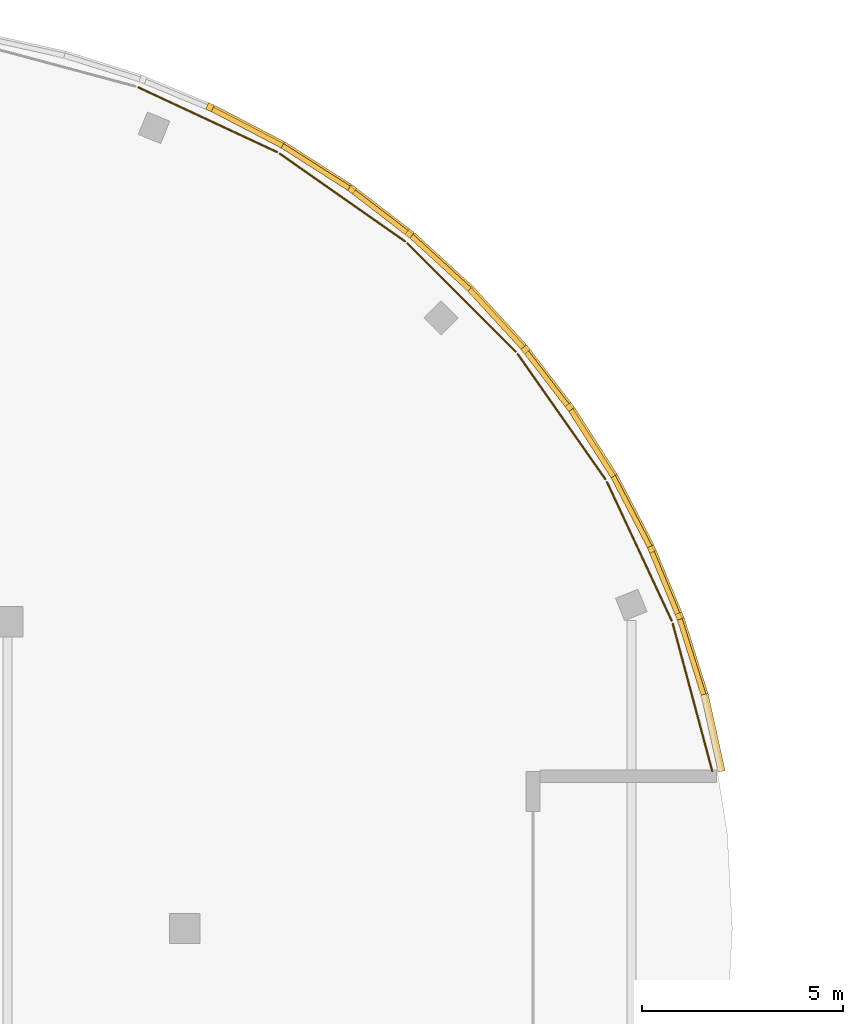
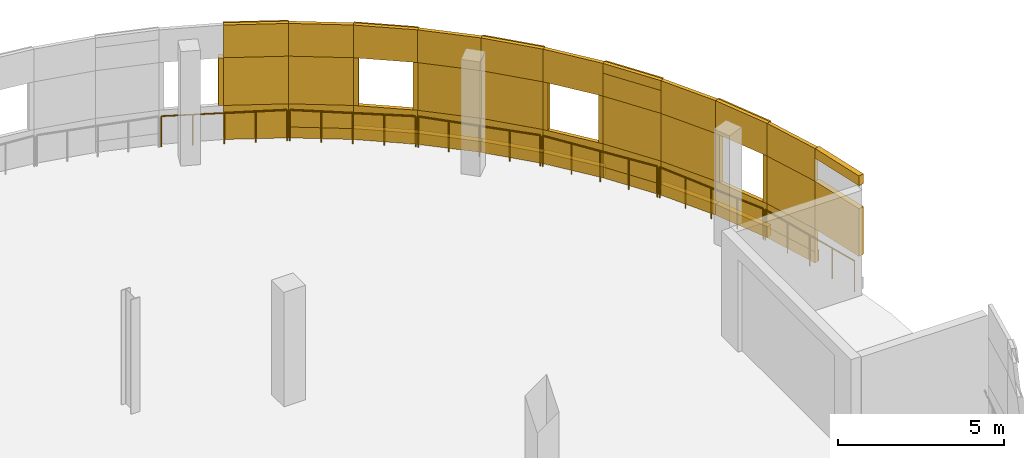
# One storey, part 138 of 140: 51 coverings, 6 railings.
"""IFC4 building model written with IfcOpenShell, lengths in metres."""

from ifc_helpers import new_model, si_unit, direction, frame, origin, origin_2d, place, context, subcontext, project, spatial, rectangle, circle, extrude, material, layer, layer_set, type_object, element, save


model = new_model("IFC4")

# Units and contexts
model_context = context("Model", 3, precision=1e-05, world=origin(), true_north=direction((0.0, 1.0)))
body_context = subcontext(model_context, "Body", "Model", "MODEL_VIEW")
ifc_project = project(units=[si_unit("LENGTHUNIT", "METRE"), si_unit("AREAUNIT", "SQUARE_METRE"), si_unit("VOLUMEUNIT", "CUBIC_METRE"), si_unit("PLANEANGLEUNIT", "RADIAN"), si_unit("MASSUNIT", "GRAM", prefix="KILO")], contexts=[model_context])

# Site, building, storey
site_placement = place(None, origin())
site = spatial("IfcSite", under=ifc_project, at=site_placement, CompositionType="ELEMENT")
building_placement = place(site_placement, origin())
building = spatial("IfcBuilding", under=site, at=building_placement, Name="Deido Ridge Mobility Hub", CompositionType="ELEMENT")
storey_placement = place(building_placement, origin())
storey = spatial("IfcBuildingStorey", under=building, at=storey_placement, Name="L00", CompositionType="ELEMENT", Elevation=0.0)

# Coverings
ifc_material_1 = material(Name="Fired clay brick masonry", Category="masonry")
ifc_layer = layer(ifc_material_1, 0.114990234375, Name="Fired clay brick masonry")
ifc_layer_set = layer_set([ifc_layer], Name="Fired clay brick masonry")
covering_type = type_object("IfcCoveringType", Name="COV-BRK-SCREEN-115", PredefinedType="CLADDING", material=ifc_layer_set)
covering_1_placement = place(storey_placement, frame((138.92138671875, 108.35986328125, 3.83984375), z_axis=(0.0, 0.0, 1.0), x_axis=(-0.216456653485, 0.976292229387, 0.0)))
element("IfcCovering", 1, at=covering_1_placement, inside=storey, type_object=covering_type, Name="Raised brick relief cornice BKS1 (L00)", PredefinedType="CLADDING", context=body_context, shape_type="SweptSolid", body=[
    extrude(rectangle(XDim=1.9619140625, YDim=0.179931640625, at=origin_2d()), origin(), (0.0, 0.0, 1.0), 0.360107421875),
])
covering_2_placement = place(storey_placement, frame((138.92138671875, 108.35986328125, 1.25), z_axis=(0.0, 0.0, 1.0), x_axis=(-0.216456653485, 0.976292229387, 0.0)))
element("IfcCovering", 2, at=covering_2_placement, inside=storey, type_object=covering_type, Name="Curved raised brickwork pier BKS1 (L00)", PredefinedType="CLADDING", context=body_context, shape_type="SweptSolid", body=[
    extrude(rectangle(XDim=1.9619140625, YDim=0.179931640625, at=origin_2d()), origin(), (0.0, 0.0, 1.0), 1.75),
])
covering_3_placement = place(storey_placement, frame((138.38818359375, 110.24365234375, 0.0), z_axis=(0.0, 0.0, 1.0), x_axis=(-0.300672508319, 0.95372744678, 0.0)))
element("IfcCovering", 3, at=covering_3_placement, inside=storey, type_object=covering_type, Name="Open brickwork spandrel course BKS1 (L00)", PredefinedType="CLADDING", context=body_context, shape_type="SweptSolid", body=[
    extrude(rectangle(XDim=1.9619140625, YDim=0.125, at=origin_2d()), origin(), (0.0, 0.0, 1.0), 1.25),
])
covering_4_placement = place(storey_placement, frame((138.414306640625, 110.251953125, 0.0), z_axis=(0.0, 0.0, 1.0), x_axis=(-0.300672508319, 0.95372744678, 0.0)))
element("IfcCovering", 4, at=covering_4_placement, inside=storey, type_object=covering_type, Name="Raised brick relief belt BKS1 (L00)", PredefinedType="CLADDING", context=body_context, shape_type="SweptSolid", body=[
    extrude(rectangle(XDim=1.9619140625, YDim=0.179931640625, at=origin_2d()), origin(), (0.0, 0.0, 1.0), 0.39990234375),
])
covering_5_placement = place(storey_placement, frame((138.38818359375, 110.24365234375, 3.0), z_axis=(0.0, 0.0, 1.0), x_axis=(-0.300672508319, 0.95372744678, 0.0)))
element("IfcCovering", 5, at=covering_5_placement, inside=storey, type_object=covering_type, Name="Open brickwork lintel course BKS1 (L00)", PredefinedType="CLADDING", context=body_context, shape_type="SweptSolid", body=[
    extrude(rectangle(XDim=1.9619140625, YDim=0.125, at=origin_2d()), origin(), (0.0, 0.0, 1.0), 1.199951171875),
])
covering_6_placement = place(storey_placement, frame((138.38818359375, 110.24365234375, 1.25), z_axis=(0.0, 0.0, 1.0), x_axis=(-0.300672508319, 0.95372744678, 0.0)))
element("IfcCovering", 6, at=covering_6_placement, inside=storey, type_object=covering_type, Name="Curved raised brickwork pier BKS1 (L00)", PredefinedType="CLADDING", context=body_context, shape_type="SweptSolid", body=[
    extrude(rectangle(XDim=1.9619140625, YDim=0.125, at=origin_2d()), origin(), (0.0, 0.0, 1.0), 1.75),
])
covering_7_placement = place(storey_placement, frame((137.718994140625, 112.08203125, 0.0), z_axis=(0.0, 0.0, 1.0), x_axis=(-0.382699557047, 0.923872853285, 0.0)))
element("IfcCovering", 7, at=covering_7_placement, inside=storey, type_object=covering_type, Name="Open brickwork spandrel course BKS1 (L00)", PredefinedType="CLADDING", context=body_context, shape_type="SweptSolid", body=[
    extrude(rectangle(XDim=1.9619140625, YDim=0.125, at=origin_2d()), origin(), (0.0, 0.0, 1.0), 1.25),
])
covering_8_placement = place(storey_placement, frame((137.744384765625, 112.0927734375, 0.0), z_axis=(0.0, 0.0, 1.0), x_axis=(-0.382699557047, 0.923872853285, 0.0)))
element("IfcCovering", 8, at=covering_8_placement, inside=storey, type_object=covering_type, Name="Raised brick relief belt BKS1 (L00)", PredefinedType="CLADDING", context=body_context, shape_type="SweptSolid", body=[
    extrude(rectangle(XDim=1.9619140625, YDim=0.179931640625, at=origin_2d()), origin(), (0.0, 0.0, 1.0), 0.39990234375),
])
covering_9_placement = place(storey_placement, frame((137.718994140625, 112.08203125, 3.0), z_axis=(0.0, 0.0, 1.0), x_axis=(-0.382699557047, 0.923872853285, 0.0)))
element("IfcCovering", 9, at=covering_9_placement, inside=storey, type_object=covering_type, Name="Open brickwork lintel course BKS1 (L00)", PredefinedType="CLADDING", context=body_context, shape_type="SweptSolid", body=[
    extrude(rectangle(XDim=1.9619140625, YDim=0.125, at=origin_2d()), origin(), (0.0, 0.0, 1.0), 1.199951171875),
])
covering_10_placement = place(storey_placement, frame((137.744384765625, 112.0927734375, 3.83984375), z_axis=(0.0, 0.0, 1.0), x_axis=(-0.382699557047, 0.923872853285, 0.0)))
element("IfcCovering", 10, at=covering_10_placement, inside=storey, type_object=covering_type, Name="Raised brick relief cornice BKS1 (L00)", PredefinedType="CLADDING", context=body_context, shape_type="SweptSolid", body=[
    extrude(rectangle(XDim=1.9619140625, YDim=0.179931640625, at=origin_2d()), origin(), (0.0, 0.0, 1.0), 0.360107421875),
])
for number, where, z_axis, x_axis, name in (
    (11, (138.08935546875, 111.26025390625, 1.25), (0.0, 0.0, 1.0), (-0.382699557047, 0.923872853285, 0.0), "Curved brick jamb nib BKS1 (L00)"),
    (12, (137.399658203125, 112.925048828125, 1.25), (0.0, 0.0, 1.0), (-0.382699557047, 0.923872853285, 0.0), "Curved brick jamb nib BKS1 (L00)"),
):
    element("IfcCovering", number, at=place(storey_placement, frame(where, z_axis=z_axis, x_axis=x_axis)), inside=storey, type_object=covering_type, Name=name, PredefinedType="CLADDING", context=body_context, shape_type="SweptSolid", body=[
        extrude(rectangle(XDim=0.152099609375, YDim=0.179931640625, at=origin_2d()), origin(), (0.0, 0.0, 1.0), 1.75),
    ])
covering_11_placement = place(storey_placement, frame((136.892333984375, 113.855224609375, 0.0), z_axis=(0.0, 0.0, 1.0), x_axis=(-0.461733131905, 0.887018892077, 0.0)))
element("IfcCovering", 13, at=covering_11_placement, inside=storey, type_object=covering_type, Name="Open brickwork spandrel course BKS1 (L00)", PredefinedType="CLADDING", context=body_context, shape_type="SweptSolid", body=[
    extrude(rectangle(XDim=1.9619140625, YDim=0.125, at=origin_2d()), origin(), (0.0, 0.0, 1.0), 1.25),
])
covering_12_placement = place(storey_placement, frame((136.916748046875, 113.867919921875, 0.0), z_axis=(0.0, 0.0, 1.0), x_axis=(-0.461733131905, 0.887018892077, 0.0)))
element("IfcCovering", 14, at=covering_12_placement, inside=storey, type_object=covering_type, Name="Raised brick relief belt BKS1 (L00)", PredefinedType="CLADDING", context=body_context, shape_type="SweptSolid", body=[
    extrude(rectangle(XDim=1.9619140625, YDim=0.179931640625, at=origin_2d()), origin(), (0.0, 0.0, 1.0), 0.39990234375),
])
covering_13_placement = place(storey_placement, frame((136.892333984375, 113.855224609375, 3.0), z_axis=(0.0, 0.0, 1.0), x_axis=(-0.461733131905, 0.887018892077, 0.0)))
element("IfcCovering", 15, at=covering_13_placement, inside=storey, type_object=covering_type, Name="Open brickwork lintel course BKS1 (L00)", PredefinedType="CLADDING", context=body_context, shape_type="SweptSolid", body=[
    extrude(rectangle(XDim=1.9619140625, YDim=0.125, at=origin_2d()), origin(), (0.0, 0.0, 1.0), 1.199951171875),
])
covering_14_placement = place(storey_placement, frame((136.892333984375, 113.855224609375, 1.25), z_axis=(0.0, 0.0, 1.0), x_axis=(-0.461733131905, 0.887018892077, 0.0)))
element("IfcCovering", 16, at=covering_14_placement, inside=storey, type_object=covering_type, Name="Curved raised brickwork pier BKS1 (L00)", PredefinedType="CLADDING", context=body_context, shape_type="SweptSolid", body=[
    extrude(rectangle(XDim=1.9619140625, YDim=0.125, at=origin_2d()), origin(), (0.0, 0.0, 1.0), 1.75),
])
covering_15_placement = place(storey_placement, frame((135.9140625, 115.549560546875, 0.0), z_axis=(0.0, 0.0, 1.0), x_axis=(-0.537314328223, 0.843382068037, 0.0)))
element("IfcCovering", 17, at=covering_15_placement, inside=storey, type_object=covering_type, Name="Open brickwork spandrel course BKS1 (L00)", PredefinedType="CLADDING", context=body_context, shape_type="SweptSolid", body=[
    extrude(rectangle(XDim=1.9619140625, YDim=0.125, at=origin_2d()), origin(), (0.0, 0.0, 1.0), 1.25),
])
covering_16_placement = place(storey_placement, frame((135.937255859375, 115.564208984375, 0.0), z_axis=(0.0, 0.0, 1.0), x_axis=(-0.537314328223, 0.843382068037, 0.0)))
element("IfcCovering", 18, at=covering_16_placement, inside=storey, type_object=covering_type, Name="Raised brick relief belt BKS1 (L00)", PredefinedType="CLADDING", context=body_context, shape_type="SweptSolid", body=[
    extrude(rectangle(XDim=1.9619140625, YDim=0.179931640625, at=origin_2d()), origin(), (0.0, 0.0, 1.0), 0.39990234375),
])
covering_17_placement = place(storey_placement, frame((135.9140625, 115.549560546875, 3.0), z_axis=(0.0, 0.0, 1.0), x_axis=(-0.537314328223, 0.843382068037, 0.0)))
element("IfcCovering", 19, at=covering_17_placement, inside=storey, type_object=covering_type, Name="Open brickwork lintel course BKS1 (L00)", PredefinedType="CLADDING", context=body_context, shape_type="SweptSolid", body=[
    extrude(rectangle(XDim=1.9619140625, YDim=0.125, at=origin_2d()), origin(), (0.0, 0.0, 1.0), 1.199951171875),
])
covering_18_placement = place(storey_placement, frame((135.937255859375, 115.564208984375, 3.83984375), z_axis=(0.0, 0.0, 1.0), x_axis=(-0.537314328223, 0.843382068037, 0.0)))
element("IfcCovering", 20, at=covering_18_placement, inside=storey, type_object=covering_type, Name="Raised brick relief cornice BKS1 (L00)", PredefinedType="CLADDING", context=body_context, shape_type="SweptSolid", body=[
    extrude(rectangle(XDim=1.9619140625, YDim=0.179931640625, at=origin_2d()), origin(), (0.0, 0.0, 1.0), 0.360107421875),
])
covering_19_placement = place(storey_placement, frame((135.937255859375, 115.564208984375, 1.25), z_axis=(0.0, 0.0, 1.0), x_axis=(-0.537314328223, 0.843382068037, 0.0)))
element("IfcCovering", 21, at=covering_19_placement, inside=storey, type_object=covering_type, Name="Curved raised brickwork pier BKS1 (L00)", PredefinedType="CLADDING", context=body_context, shape_type="SweptSolid", body=[
    extrude(rectangle(XDim=1.9619140625, YDim=0.179931640625, at=origin_2d()), origin(), (0.0, 0.0, 1.0), 1.75),
])
covering_20_placement = place(storey_placement, frame((134.7919921875, 117.152099609375, 0.0), z_axis=(0.0, 0.0, 1.0), x_axis=(-0.608761429009, 0.793353340291, 0.0)))
element("IfcCovering", 22, at=covering_20_placement, inside=storey, type_object=covering_type, Name="Open brickwork spandrel course BKS1 (L00)", PredefinedType="CLADDING", context=body_context, shape_type="SweptSolid", body=[
    extrude(rectangle(XDim=1.9619140625, YDim=0.125, at=origin_2d()), origin(), (0.0, 0.0, 1.0), 1.25),
])
covering_21_placement = place(storey_placement, frame((134.813720703125, 117.1689453125, 0.0), z_axis=(0.0, 0.0, 1.0), x_axis=(-0.608761429009, 0.793353340291, 0.0)))
element("IfcCovering", 23, at=covering_21_placement, inside=storey, type_object=covering_type, Name="Raised brick relief belt BKS1 (L00)", PredefinedType="CLADDING", context=body_context, shape_type="SweptSolid", body=[
    extrude(rectangle(XDim=1.9619140625, YDim=0.179931640625, at=origin_2d()), origin(), (0.0, 0.0, 1.0), 0.39990234375),
])
covering_22_placement = place(storey_placement, frame((134.7919921875, 117.152099609375, 3.0), z_axis=(0.0, 0.0, 1.0), x_axis=(-0.608761429009, 0.793353340291, 0.0)))
element("IfcCovering", 24, at=covering_22_placement, inside=storey, type_object=covering_type, Name="Open brickwork lintel course BKS1 (L00)", PredefinedType="CLADDING", context=body_context, shape_type="SweptSolid", body=[
    extrude(rectangle(XDim=1.9619140625, YDim=0.125, at=origin_2d()), origin(), (0.0, 0.0, 1.0), 1.199951171875),
])
for number, where, z_axis, x_axis, name in (
    (25, (135.3623046875, 116.4541015625, 1.25), (0.0, 0.0, 1.0), (-0.608761429009, 0.793353340291, 0.0), "Curved brick jamb nib BKS1 (L00)"),
    (26, (134.26513671875, 117.8837890625, 1.25), (0.0, 0.0, 1.0), (-0.608761429009, 0.793353340291, 0.0), "Curved brick jamb nib BKS1 (L00)"),
):
    element("IfcCovering", number, at=place(storey_placement, frame(where, z_axis=z_axis, x_axis=x_axis)), inside=storey, type_object=covering_type, Name=name, PredefinedType="CLADDING", context=body_context, shape_type="SweptSolid", body=[
        extrude(rectangle(XDim=0.152099609375, YDim=0.179931640625, at=origin_2d()), origin(), (0.0, 0.0, 1.0), 1.75),
    ])
covering_23_placement = place(storey_placement, frame((133.5341796875, 118.65087890625, 0.0), z_axis=(0.0, 0.0, 1.0), x_axis=(-0.675577339596, 0.737289127971, 0.0)))
element("IfcCovering", 27, at=covering_23_placement, inside=storey, type_object=covering_type, Name="Open brickwork spandrel course BKS1 (L00)", PredefinedType="CLADDING", context=body_context, shape_type="SweptSolid", body=[
    extrude(rectangle(XDim=1.9619140625, YDim=0.125, at=origin_2d()), origin(), (0.0, 0.0, 1.0), 1.25),
])
covering_24_placement = place(storey_placement, frame((133.5546875, 118.66943359375, 0.0), z_axis=(0.0, 0.0, 1.0), x_axis=(-0.675577339596, 0.737289127971, 0.0)))
element("IfcCovering", 28, at=covering_24_placement, inside=storey, type_object=covering_type, Name="Raised brick relief belt BKS1 (L00)", PredefinedType="CLADDING", context=body_context, shape_type="SweptSolid", body=[
    extrude(rectangle(XDim=1.9619140625, YDim=0.179931640625, at=origin_2d()), origin(), (0.0, 0.0, 1.0), 0.39990234375),
])
covering_25_placement = place(storey_placement, frame((133.5341796875, 118.65087890625, 3.0), z_axis=(0.0, 0.0, 1.0), x_axis=(-0.675577339596, 0.737289127971, 0.0)))
element("IfcCovering", 29, at=covering_25_placement, inside=storey, type_object=covering_type, Name="Open brickwork lintel course BKS1 (L00)", PredefinedType="CLADDING", context=body_context, shape_type="SweptSolid", body=[
    extrude(rectangle(XDim=1.9619140625, YDim=0.125, at=origin_2d()), origin(), (0.0, 0.0, 1.0), 1.199951171875),
])
covering_26_placement = place(storey_placement, frame((133.5546875, 118.66943359375, 3.83984375), z_axis=(0.0, 0.0, 1.0), x_axis=(-0.675577339596, 0.737289127971, 0.0)))
element("IfcCovering", 30, at=covering_26_placement, inside=storey, type_object=covering_type, Name="Raised brick relief cornice BKS1 (L00)", PredefinedType="CLADDING", context=body_context, shape_type="SweptSolid", body=[
    extrude(rectangle(XDim=1.9619140625, YDim=0.179931640625, at=origin_2d()), origin(), (0.0, 0.0, 1.0), 0.360107421875),
])
covering_27_placement = place(storey_placement, frame((133.5546875, 118.66943359375, 1.25), z_axis=(0.0, 0.0, 1.0), x_axis=(-0.675577339596, 0.737289127971, 0.0)))
element("IfcCovering", 31, at=covering_27_placement, inside=storey, type_object=covering_type, Name="Curved raised brickwork pier BKS1 (L00)", PredefinedType="CLADDING", context=body_context, shape_type="SweptSolid", body=[
    extrude(rectangle(XDim=1.9619140625, YDim=0.179931640625, at=origin_2d()), origin(), (0.0, 0.0, 1.0), 1.75),
])
covering_28_placement = place(storey_placement, frame((132.15087890625, 120.0341796875, 0.0), z_axis=(0.0, 0.0, 1.0), x_axis=(-0.737289127971, 0.675577339596, 0.0)))
element("IfcCovering", 32, at=covering_28_placement, inside=storey, type_object=covering_type, Name="Open brickwork spandrel course BKS1 (L00)", PredefinedType="CLADDING", context=body_context, shape_type="SweptSolid", body=[
    extrude(rectangle(XDim=1.9619140625, YDim=0.125, at=origin_2d()), origin(), (0.0, 0.0, 1.0), 1.25),
])
covering_29_placement = place(storey_placement, frame((132.16943359375, 120.0546875, 0.0), z_axis=(0.0, 0.0, 1.0), x_axis=(-0.737289127971, 0.675577339596, 0.0)))
element("IfcCovering", 33, at=covering_29_placement, inside=storey, type_object=covering_type, Name="Raised brick relief belt BKS1 (L00)", PredefinedType="CLADDING", context=body_context, shape_type="SweptSolid", body=[
    extrude(rectangle(XDim=1.9619140625, YDim=0.179931640625, at=origin_2d()), origin(), (0.0, 0.0, 1.0), 0.39990234375),
])
covering_30_placement = place(storey_placement, frame((132.15087890625, 120.0341796875, 3.0), z_axis=(0.0, 0.0, 1.0), x_axis=(-0.737289127971, 0.675577339596, 0.0)))
element("IfcCovering", 34, at=covering_30_placement, inside=storey, type_object=covering_type, Name="Open brickwork lintel course BKS1 (L00)", PredefinedType="CLADDING", context=body_context, shape_type="SweptSolid", body=[
    extrude(rectangle(XDim=1.9619140625, YDim=0.125, at=origin_2d()), origin(), (0.0, 0.0, 1.0), 1.199951171875),
])
covering_31_placement = place(storey_placement, frame((132.15087890625, 120.0341796875, 1.25), z_axis=(0.0, 0.0, 1.0), x_axis=(-0.737289127971, 0.675577339596, 0.0)))
element("IfcCovering", 35, at=covering_31_placement, inside=storey, type_object=covering_type, Name="Curved raised brickwork pier BKS1 (L00)", PredefinedType="CLADDING", context=body_context, shape_type="SweptSolid", body=[
    extrude(rectangle(XDim=1.9619140625, YDim=0.125, at=origin_2d()), origin(), (0.0, 0.0, 1.0), 1.75),
])
covering_32_placement = place(storey_placement, frame((130.652099609375, 121.2919921875, 0.0), z_axis=(0.0, 0.0, 1.0), x_axis=(-0.793353340291, 0.608761429009, 0.0)))
element("IfcCovering", 36, at=covering_32_placement, inside=storey, type_object=covering_type, Name="Open brickwork spandrel course BKS1 (L00)", PredefinedType="CLADDING", context=body_context, shape_type="SweptSolid", body=[
    extrude(rectangle(XDim=1.9619140625, YDim=0.125, at=origin_2d()), origin(), (0.0, 0.0, 1.0), 1.25),
])
covering_33_placement = place(storey_placement, frame((130.6689453125, 121.313720703125, 0.0), z_axis=(0.0, 0.0, 1.0), x_axis=(-0.793353340291, 0.608761429009, 0.0)))
element("IfcCovering", 37, at=covering_33_placement, inside=storey, type_object=covering_type, Name="Raised brick relief belt BKS1 (L00)", PredefinedType="CLADDING", context=body_context, shape_type="SweptSolid", body=[
    extrude(rectangle(XDim=1.9619140625, YDim=0.179931640625, at=origin_2d()), origin(), (0.0, 0.0, 1.0), 0.39990234375),
])
covering_34_placement = place(storey_placement, frame((130.652099609375, 121.2919921875, 3.0), z_axis=(0.0, 0.0, 1.0), x_axis=(-0.793353340291, 0.608761429009, 0.0)))
element("IfcCovering", 38, at=covering_34_placement, inside=storey, type_object=covering_type, Name="Open brickwork lintel course BKS1 (L00)", PredefinedType="CLADDING", context=body_context, shape_type="SweptSolid", body=[
    extrude(rectangle(XDim=1.9619140625, YDim=0.125, at=origin_2d()), origin(), (0.0, 0.0, 1.0), 1.199951171875),
])
covering_35_placement = place(storey_placement, frame((130.6689453125, 121.313720703125, 3.83984375), z_axis=(0.0, 0.0, 1.0), x_axis=(-0.793353340291, 0.608761429009, 0.0)))
element("IfcCovering", 39, at=covering_35_placement, inside=storey, type_object=covering_type, Name="Raised brick relief cornice BKS1 (L00)", PredefinedType="CLADDING", context=body_context, shape_type="SweptSolid", body=[
    extrude(rectangle(XDim=1.9619140625, YDim=0.179931640625, at=origin_2d()), origin(), (0.0, 0.0, 1.0), 0.360107421875),
])
for number, where, z_axis, x_axis, name in (
    (40, (131.3837890625, 120.76513671875, 1.25), (0.0, 0.0, 1.0), (-0.793353340291, 0.608761429009, 0.0), "Curved brick jamb nib BKS1 (L00)"),
    (41, (129.9541015625, 121.8623046875, 1.25), (0.0, 0.0, 1.0), (-0.793353340291, 0.608761429009, 0.0), "Curved brick jamb nib BKS1 (L00)"),
):
    element("IfcCovering", number, at=place(storey_placement, frame(where, z_axis=z_axis, x_axis=x_axis)), inside=storey, type_object=covering_type, Name=name, PredefinedType="CLADDING", context=body_context, shape_type="SweptSolid", body=[
        extrude(rectangle(XDim=0.152099609375, YDim=0.179931640625, at=origin_2d()), origin(), (0.0, 0.0, 1.0), 1.75),
    ])
covering_36_placement = place(storey_placement, frame((129.049560546875, 122.4140625, 0.0), z_axis=(0.0, 0.0, 1.0), x_axis=(-0.843382068037, 0.537314328223, 0.0)))
element("IfcCovering", 42, at=covering_36_placement, inside=storey, type_object=covering_type, Name="Open brickwork spandrel course BKS1 (L00)", PredefinedType="CLADDING", context=body_context, shape_type="SweptSolid", body=[
    extrude(rectangle(XDim=1.9619140625, YDim=0.125, at=origin_2d()), origin(), (0.0, 0.0, 1.0), 1.25),
])
covering_37_placement = place(storey_placement, frame((129.064208984375, 122.437255859375, 0.0), z_axis=(0.0, 0.0, 1.0), x_axis=(-0.843382068037, 0.537314328223, 0.0)))
element("IfcCovering", 43, at=covering_37_placement, inside=storey, type_object=covering_type, Name="Raised brick relief belt BKS1 (L00)", PredefinedType="CLADDING", context=body_context, shape_type="SweptSolid", body=[
    extrude(rectangle(XDim=1.9619140625, YDim=0.179931640625, at=origin_2d()), origin(), (0.0, 0.0, 1.0), 0.39990234375),
])
covering_38_placement = place(storey_placement, frame((129.049560546875, 122.4140625, 3.0), z_axis=(0.0, 0.0, 1.0), x_axis=(-0.843382068037, 0.537314328223, 0.0)))
element("IfcCovering", 44, at=covering_38_placement, inside=storey, type_object=covering_type, Name="Open brickwork lintel course BKS1 (L00)", PredefinedType="CLADDING", context=body_context, shape_type="SweptSolid", body=[
    extrude(rectangle(XDim=1.9619140625, YDim=0.125, at=origin_2d()), origin(), (0.0, 0.0, 1.0), 1.199951171875),
])
covering_39_placement = place(storey_placement, frame((129.049560546875, 122.4140625, 1.25), z_axis=(0.0, 0.0, 1.0), x_axis=(-0.843382068037, 0.537314328223, 0.0)))
element("IfcCovering", 45, at=covering_39_placement, inside=storey, type_object=covering_type, Name="Curved raised brickwork pier BKS1 (L00)", PredefinedType="CLADDING", context=body_context, shape_type="SweptSolid", body=[
    extrude(rectangle(XDim=1.9619140625, YDim=0.125, at=origin_2d()), origin(), (0.0, 0.0, 1.0), 1.75),
])
covering_40_placement = place(storey_placement, frame((127.355224609375, 123.392333984375, 0.0), z_axis=(0.0, 0.0, 1.0), x_axis=(-0.887018892077, 0.461733131905, 0.0)))
element("IfcCovering", 46, at=covering_40_placement, inside=storey, type_object=covering_type, Name="Open brickwork spandrel course BKS1 (L00)", PredefinedType="CLADDING", context=body_context, shape_type="SweptSolid", body=[
    extrude(rectangle(XDim=1.9619140625, YDim=0.125, at=origin_2d()), origin(), (0.0, 0.0, 1.0), 1.25),
])
covering_41_placement = place(storey_placement, frame((127.367919921875, 123.416748046875, 0.0), z_axis=(0.0, 0.0, 1.0), x_axis=(-0.887018892077, 0.461733131905, 0.0)))
element("IfcCovering", 47, at=covering_41_placement, inside=storey, type_object=covering_type, Name="Raised brick relief belt BKS1 (L00)", PredefinedType="CLADDING", context=body_context, shape_type="SweptSolid", body=[
    extrude(rectangle(XDim=1.9619140625, YDim=0.179931640625, at=origin_2d()), origin(), (0.0, 0.0, 1.0), 0.39990234375),
])
covering_42_placement = place(storey_placement, frame((127.355224609375, 123.392333984375, 3.0), z_axis=(0.0, 0.0, 1.0), x_axis=(-0.887018892077, 0.461733131905, 0.0)))
element("IfcCovering", 48, at=covering_42_placement, inside=storey, type_object=covering_type, Name="Open brickwork lintel course BKS1 (L00)", PredefinedType="CLADDING", context=body_context, shape_type="SweptSolid", body=[
    extrude(rectangle(XDim=1.9619140625, YDim=0.125, at=origin_2d()), origin(), (0.0, 0.0, 1.0), 1.199951171875),
])
covering_43_placement = place(storey_placement, frame((127.367919921875, 123.416748046875, 3.83984375), z_axis=(0.0, 0.0, 1.0), x_axis=(-0.887018892077, 0.461733131905, 0.0)))
element("IfcCovering", 49, at=covering_43_placement, inside=storey, type_object=covering_type, Name="Raised brick relief cornice BKS1 (L00)", PredefinedType="CLADDING", context=body_context, shape_type="SweptSolid", body=[
    extrude(rectangle(XDim=1.9619140625, YDim=0.179931640625, at=origin_2d()), origin(), (0.0, 0.0, 1.0), 0.360107421875),
])
covering_44_placement = place(storey_placement, frame((127.367919921875, 123.416748046875, 1.25), z_axis=(0.0, 0.0, 1.0), x_axis=(-0.887018892077, 0.461733131905, 0.0)))
element("IfcCovering", 50, at=covering_44_placement, inside=storey, type_object=covering_type, Name="Curved raised brickwork pier BKS1 (L00)", PredefinedType="CLADDING", context=body_context, shape_type="SweptSolid", body=[
    extrude(rectangle(XDim=1.9619140625, YDim=0.179931640625, at=origin_2d()), origin(), (0.0, 0.0, 1.0), 1.75),
])
covering_45_placement = place(storey_placement, frame((126.425048828125, 123.899658203125, 1.25), z_axis=(0.0, 0.0, 1.0), x_axis=(-0.923872853285, 0.382699557047, 0.0)))
element("IfcCovering", 51, at=covering_45_placement, inside=storey, type_object=covering_type, Name="Curved brick jamb nib BKS1 (L00)", PredefinedType="CLADDING", context=body_context, shape_type="SweptSolid", body=[
    extrude(rectangle(XDim=0.152099609375, YDim=0.179931640625, at=origin_2d()), origin(), (0.0, 0.0, 1.0), 1.75),
])

# Railings
ifc_material_2 = material(Name="Galvanised steel work", Category="steel")
railing_type = type_object("IfcRailingType", Name="RL-GRD-EXT-1150", PredefinedType="GUARDRAIL", material=ifc_material_2)
railing_1_placement = place(storey_placement, frame((138.901611328125, 107.40234375, 0.0)))
element("IfcRailing", 52, at=railing_1_placement, inside=storey, type_object=railing_type, Name="Parking drum perimeter guard (L00)", PredefinedType="GUARDRAIL", context=body_context, shape_type="SweptSolid", body=[
    extrude(circle(Radius=0.02392578125, at=origin_2d()), frame((0.0, 0.0, 1.1259765625), z_axis=(-0.258774639064, 0.965937723757, 0.0), x_axis=(-0.965937723757, -0.258774639064, 0.0)), (0.0, 0.0, 1.0), 3.79833984375),
    extrude(circle(Radius=0.02099609375, at=origin_2d()), origin(), (0.0, 0.0, 1.0), 1.101806640625),
    extrude(circle(Radius=0.02099609375, at=origin_2d()), frame((-0.24560546875, 0.917236328125, 0.0)), (0.0, 0.0, 1.0), 1.101806640625),
    extrude(circle(Radius=0.02099609375, at=origin_2d()), frame((-0.491455078125, 1.83447265625, 0.0)), (0.0, 0.0, 1.0), 1.101806640625),
    extrude(circle(Radius=0.02099609375, at=origin_2d()), frame((-0.7373046875, 2.751708984375, 0.0)), (0.0, 0.0, 1.0), 1.101806640625),
    extrude(circle(Radius=0.02099609375, at=origin_2d()), frame((-0.98291015625, 3.6689453125, 0.0)), (0.0, 0.0, 1.0), 1.101806640625),
])
railing_2_placement = place(storey_placement, frame((137.891357421875, 111.146240234375, 0.0)))
element("IfcRailing", 53, at=railing_2_placement, inside=storey, type_object=railing_type, Name="Parking drum perimeter guard (L00)", PredefinedType="GUARDRAIL", context=body_context, shape_type="SweptSolid", body=[
    extrude(circle(Radius=0.02392578125, at=origin_2d()), frame((0.0, 0.0, 1.1259765625), z_axis=(-0.422674330627, 0.906281639574, 0.0), x_axis=(-0.906281639574, -0.422674330627, 0.0)), (0.0, 0.0, 1.0), 3.79833984375),
    extrude(circle(Radius=0.02099609375, at=origin_2d()), origin(), (0.0, 0.0, 1.0), 1.101806640625),
    extrude(circle(Radius=0.02099609375, at=origin_2d()), frame((-0.4013671875, 0.860595703125, 0.0)), (0.0, 0.0, 1.0), 1.101806640625),
    extrude(circle(Radius=0.02099609375, at=origin_2d()), frame((-0.802734375, 1.72119140625, 0.0)), (0.0, 0.0, 1.0), 1.101806640625),
    extrude(circle(Radius=0.02099609375, at=origin_2d()), frame((-1.2041015625, 2.581787109375, 0.0)), (0.0, 0.0, 1.0), 1.101806640625),
    extrude(circle(Radius=0.02099609375, at=origin_2d()), frame((-1.60546875, 3.4423828125, 0.0)), (0.0, 0.0, 1.0), 1.101806640625),
])
railing_3_placement = place(storey_placement, frame((136.24609375, 114.65771484375, 0.0)))
element("IfcRailing", 54, at=railing_3_placement, inside=storey, type_object=railing_type, Name="Parking drum perimeter guard (L00)", PredefinedType="GUARDRAIL", context=body_context, shape_type="SweptSolid", body=[
    extrude(circle(Radius=0.02392578125, at=origin_2d()), frame((0.0, 0.0, 1.1259765625), z_axis=(-0.573570179609, 0.819156425271, 0.0), x_axis=(-0.819156425271, -0.573570179609, 0.0)), (0.0, 0.0, 1.0), 3.798583984375),
    extrude(circle(Radius=0.02099609375, at=origin_2d()), origin(), (0.0, 0.0, 1.0), 1.101806640625),
    extrude(circle(Radius=0.02099609375, at=origin_2d()), frame((-0.544677734375, 0.77783203125, 0.0)), (0.0, 0.0, 1.0), 1.101806640625),
    extrude(circle(Radius=0.02099609375, at=origin_2d()), frame((-1.08935546875, 1.5556640625, 0.0)), (0.0, 0.0, 1.0), 1.101806640625),
    extrude(circle(Radius=0.02099609375, at=origin_2d()), frame((-1.634033203125, 2.333740234375, 0.0)), (0.0, 0.0, 1.0), 1.101806640625),
    extrude(circle(Radius=0.02099609375, at=origin_2d()), frame((-2.1787109375, 3.111572265625, 0.0)), (0.0, 0.0, 1.0), 1.101806640625),
])
railing_4_placement = place(storey_placement, frame((134.01611328125, 117.830322265625, 0.0)))
element("IfcRailing", 55, at=railing_4_placement, inside=storey, type_object=railing_type, Name="Parking drum perimeter guard (L00)", PredefinedType="GUARDRAIL", context=body_context, shape_type="SweptSolid", body=[
    extrude(circle(Radius=0.02392578125, at=origin_2d()), frame((0.0, 0.0, 1.1259765625), z_axis=(-0.707106781187, 0.707106781187, 0.0), x_axis=(-0.707106781187, -0.707106781187, 0.0)), (0.0, 0.0, 1.0), 3.79833984375),
    extrude(circle(Radius=0.02099609375, at=origin_2d()), origin(), (0.0, 0.0, 1.0), 1.101806640625),
    extrude(circle(Radius=0.02099609375, at=origin_2d()), frame((-0.67138671875, 0.67138671875, 0.0)), (0.0, 0.0, 1.0), 1.101806640625),
    extrude(circle(Radius=0.02099609375, at=origin_2d()), frame((-1.3427734375, 1.3427734375, 0.0)), (0.0, 0.0, 1.0), 1.101806640625),
    extrude(circle(Radius=0.02099609375, at=origin_2d()), frame((-2.014404296875, 2.014404296875, 0.0)), (0.0, 0.0, 1.0), 1.101806640625),
    extrude(circle(Radius=0.02099609375, at=origin_2d()), frame((-2.685791015625, 2.685791015625, 0.0)), (0.0, 0.0, 1.0), 1.101806640625),
])
railing_5_placement = place(storey_placement, frame((131.269287109375, 120.5673828125, 0.0)))
element("IfcRailing", 56, at=railing_5_placement, inside=storey, type_object=railing_type, Name="Parking drum perimeter guard (L00)", PredefinedType="GUARDRAIL", context=body_context, shape_type="SweptSolid", body=[
    extrude(circle(Radius=0.02392578125, at=origin_2d()), frame((0.0, 0.0, 1.1259765625), z_axis=(-0.819156425271, 0.573570179609, 0.0), x_axis=(-0.573570179609, -0.819156425271, 0.0)), (0.0, 0.0, 1.0), 3.798583984375),
    extrude(circle(Radius=0.02099609375, at=origin_2d()), origin(), (0.0, 0.0, 1.0), 1.101806640625),
    extrude(circle(Radius=0.02099609375, at=origin_2d()), frame((-0.77783203125, 0.544677734375, 0.0)), (0.0, 0.0, 1.0), 1.101806640625),
    extrude(circle(Radius=0.02099609375, at=origin_2d()), frame((-1.5556640625, 1.08935546875, 0.0)), (0.0, 0.0, 1.0), 1.101806640625),
    extrude(circle(Radius=0.02099609375, at=origin_2d()), frame((-2.333740234375, 1.634033203125, 0.0)), (0.0, 0.0, 1.0), 1.101806640625),
    extrude(circle(Radius=0.02099609375, at=origin_2d()), frame((-3.111572265625, 2.1787109375, 0.0)), (0.0, 0.0, 1.0), 1.101806640625),
])
railing_6_placement = place(storey_placement, frame((128.088623046875, 122.785888671875, 0.0)))
element("IfcRailing", 57, at=railing_6_placement, inside=storey, type_object=railing_type, Name="Parking drum perimeter guard (L00)", PredefinedType="GUARDRAIL", context=body_context, shape_type="SweptSolid", body=[
    extrude(circle(Radius=0.02392578125, at=origin_2d()), frame((0.0, 0.0, 1.1259765625), z_axis=(-0.906281639574, 0.422674330627, 0.0), x_axis=(-0.422674330627, -0.906281639574, 0.0)), (0.0, 0.0, 1.0), 3.79833984375),
    extrude(circle(Radius=0.02099609375, at=origin_2d()), origin(), (0.0, 0.0, 1.0), 1.101806640625),
    extrude(circle(Radius=0.02099609375, at=origin_2d()), frame((-0.860595703125, 0.4013671875, 0.0)), (0.0, 0.0, 1.0), 1.101806640625),
    extrude(circle(Radius=0.02099609375, at=origin_2d()), frame((-1.72119140625, 0.802734375, 0.0)), (0.0, 0.0, 1.0), 1.101806640625),
    extrude(circle(Radius=0.02099609375, at=origin_2d()), frame((-2.581787109375, 1.2041015625, 0.0)), (0.0, 0.0, 1.0), 1.101806640625),
    extrude(circle(Radius=0.02099609375, at=origin_2d()), frame((-3.4423828125, 1.60546875, 0.0)), (0.0, 0.0, 1.0), 1.101806640625),
])

save(model, "model.ifc")
